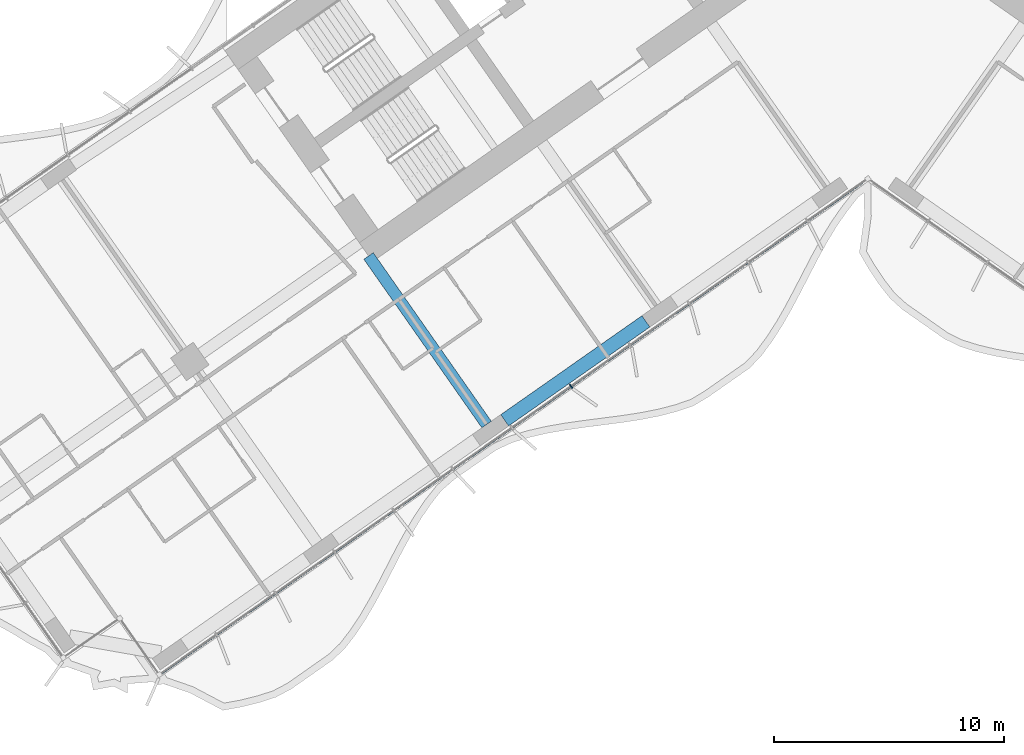
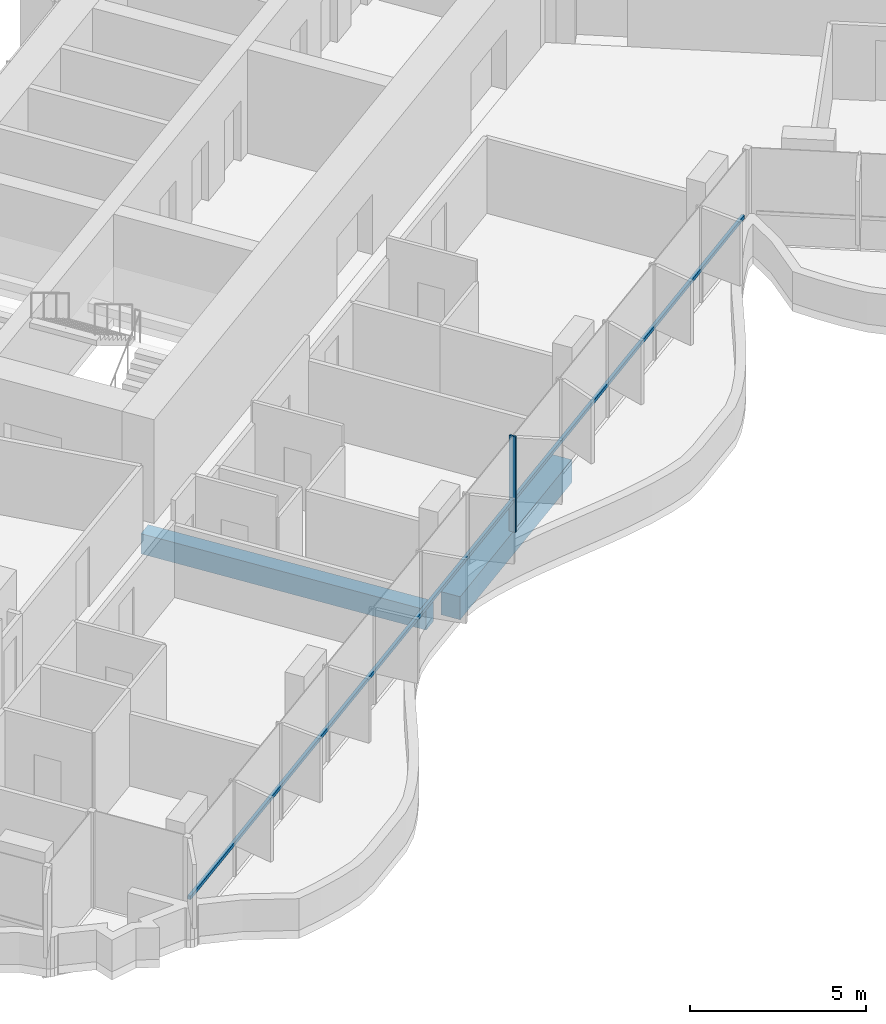
# One storey, part 3 of 24: 2 beams, 2 members, 1 element without a shape of its own.
"""IFC4 building model written with IfcOpenShell, lengths in metres."""

from ifc_helpers import new_model, si_unit, direction, frame, origin, origin_2d, place, context, subcontext, project, spatial, rectangle, extrude, material, material_profile, profile_set, type_object, element, aggregate, save


model = new_model("IFC4")

# Units and contexts
model_context = context("Model", 3, precision=1e-05, world=origin(), true_north=direction((0.0, 1.0)))
body_context = subcontext(model_context, "Body", "Model", "MODEL_VIEW")
ifc_project = project(units=[si_unit("LENGTHUNIT", "METRE"), si_unit("AREAUNIT", "SQUARE_METRE"), si_unit("VOLUMEUNIT", "CUBIC_METRE"), si_unit("PLANEANGLEUNIT", "RADIAN"), si_unit("MASSUNIT", "GRAM", prefix="KILO")], contexts=[model_context])

# Site, building, storey
site_placement = place(None, origin())
site = spatial("IfcSite", under=ifc_project, at=site_placement, CompositionType="ELEMENT")
building_placement = place(site_placement, origin())
building = spatial("IfcBuilding", under=site, at=building_placement, Name="Tel Ilan Convention Tower", CompositionType="ELEMENT")
storey_placement = place(building_placement, frame((0.0, 0.0, 65.300048828125)))
storey = spatial("IfcBuildingStorey", under=building, at=storey_placement, Name="L11", CompositionType="ELEMENT", Elevation=65.300048828125)

# Beams
ifc_material_1 = material(Name="Concrete C40/50", Category="concrete")
ifc_material_profile_1 = material_profile(ifc_material_1, rectangle(XDim=0.5, YDim=0.699951171875, at=origin_2d()), Name="RC 500x700")
ifc_profile_set_1 = profile_set([ifc_material_profile_1], Name="Concrete C40/50")
beam_type_1 = type_object("IfcBeamType", Name="Beam RC 500x700 Concrete C40/50", PredefinedType="BEAM", material=ifc_profile_set_1)
beam_1_placement = place(storey_placement, frame((-16.58203125, -23.391357421875, -0.630126953125), z_axis=(-0.573584999642, 0.819146048141, 0.0), x_axis=(-0.819146048141, -0.573584999642, 0.0)))
element("IfcBeam", 1, at=beam_1_placement, inside=storey, type_object=beam_type_1, Name="L11 beam W-W-F3-core", PredefinedType="BEAM", context=body_context, shape_type="SweptSolid", body=[
    extrude(rectangle(XDim=0.5, YDim=0.699951171875, at=origin_2d()), origin(), (0.0, 0.0, 1.0), 8.949951171875),
])
ifc_material_2 = material(Name="Concrete C40/50", Category="concrete")
ifc_material_profile_2 = material_profile(ifc_material_2, rectangle(XDim=0.60009765625, YDim=0.800048828125, at=origin_2d()), Name="RC 600x800")
ifc_profile_set_2 = profile_set([ifc_material_profile_2], Name="Concrete C40/50")
beam_type_2 = type_object("IfcBeamType", Name="Beam RC 600x800 Concrete C40/50", PredefinedType="BEAM", material=ifc_profile_set_2)
beam_2_placement = place(storey_placement, frame((-9.652099609375, -18.905029296875, -0.679931640625), z_axis=(-0.81915238829, -0.573575945067, 0.0), x_axis=(0.573575945067, -0.81915238829, 0.0)))
element("IfcBeam", 2, at=beam_2_placement, inside=storey, type_object=beam_type_2, Name="L11 beam W-W-F2-W-F3", PredefinedType="BEAM", context=body_context, shape_type="SweptSolid", body=[
    extrude(rectangle(XDim=0.60009765625, YDim=0.800048828125, at=origin_2d()), origin(), (0.0, 0.0, 1.0), 7.5),
])

# Curtain wall, members
ifc_material_3 = material(Name="Aluminium, bronze anodised", Category="aluminium")
curtain_wall_type = type_object("IfcCurtainWallType", Name="CW1 UNITISED CURTAIN WALL, HOTEL TINTED GLASS", PredefinedType="NOTDEFINED", material=ifc_material_3)
curtain_wall_placement = place(storey_placement, origin())
curtain_wall = element("IfcCurtainWall", 3, at=curtain_wall_placement, inside=storey, type_object=curtain_wall_type, Name="Curtain wall CW1-12.02", PredefinedType="NOTDEFINED")
ifc_material_4 = material(Name="Aluminium, bronze anodised", Category="aluminium")
ifc_material_profile_3 = material_profile(ifc_material_4, rectangle(XDim=0.06005859375, YDim=0.199951171875, at=origin_2d()), Name="CW MULLION 60x200")
ifc_profile_set_3 = profile_set([ifc_material_profile_3], Name="Aluminium, bronze anodised")
member_type_1 = type_object("IfcMemberType", Name="CW MULLION 60x200", PredefinedType="MULLION", material=ifc_profile_set_3)
member_1_placement = place(storey_placement, frame((-12.906982421875, -21.733642578125, 0.0), z_axis=(0.0, 0.0, 1.0), x_axis=(0.819152044289, 0.573576436351, 0.0)))
member_1 = element("IfcMember", 4, at=member_1_placement, type_object=member_type_1, Name="Mullion", PredefinedType="MULLION", context=body_context, shape_type="SweptSolid", body=[
    extrude(rectangle(XDim=0.06005859375, YDim=0.199951171875, at=origin_2d()), origin(), (0.0, 0.0, 1.0), 3.320068359375),
])
ifc_material_5 = material(Name="Aluminium, bronze anodised", Category="aluminium")
ifc_material_profile_4 = material_profile(ifc_material_5, rectangle(XDim=0.10009765625, YDim=0.1201171875, at=origin_2d()), Name="CW TRANSOM 100x120")
ifc_profile_set_4 = profile_set([ifc_material_profile_4], Name="Aluminium, bronze anodised")
member_type_2 = type_object("IfcMemberType", Name="CW TRANSOM 100x120", PredefinedType="USERDEFINED", material=ifc_profile_set_4)
member_2_placement = place(storey_placement, frame((-30.73291015625, -34.21533203125, 1.099853515625), z_axis=(0.819152467103, 0.57357583251, 0.0), x_axis=(-0.57357583251, 0.819152467103, 0.0)))
member_2 = element("IfcMember", 5, at=member_2_placement, type_object=member_type_2, Name="Transom", ObjectType="TRANSOM", PredefinedType="USERDEFINED", context=body_context, shape_type="SweptSolid", body=[
    extrude(rectangle(XDim=0.10009765625, YDim=0.1201171875, at=origin_2d()), origin(), (0.0, 0.0, 1.0), 37.247802734375),
])
aggregate(curtain_wall, [member_1, member_2])

save(model, "model.ifc")
